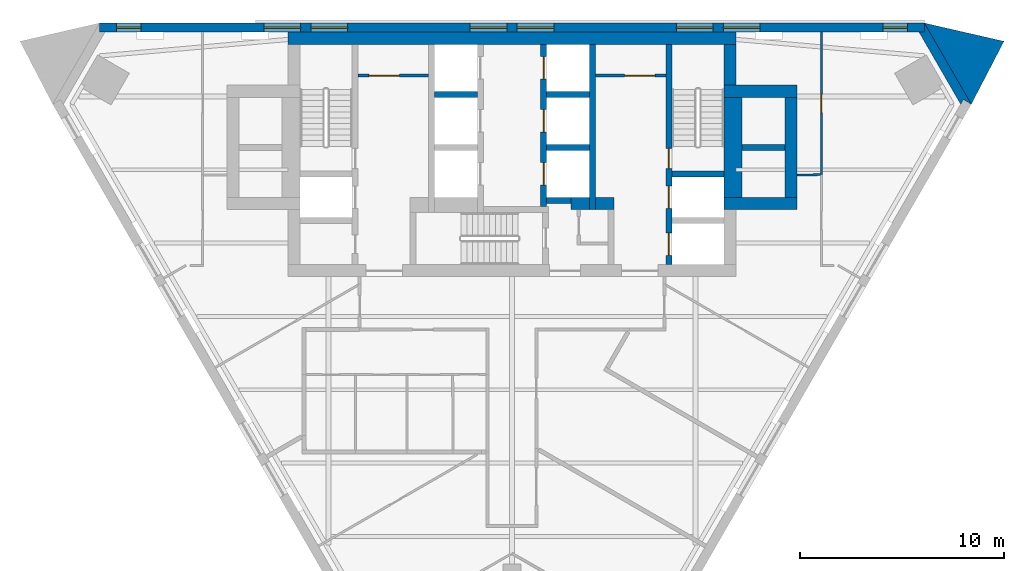
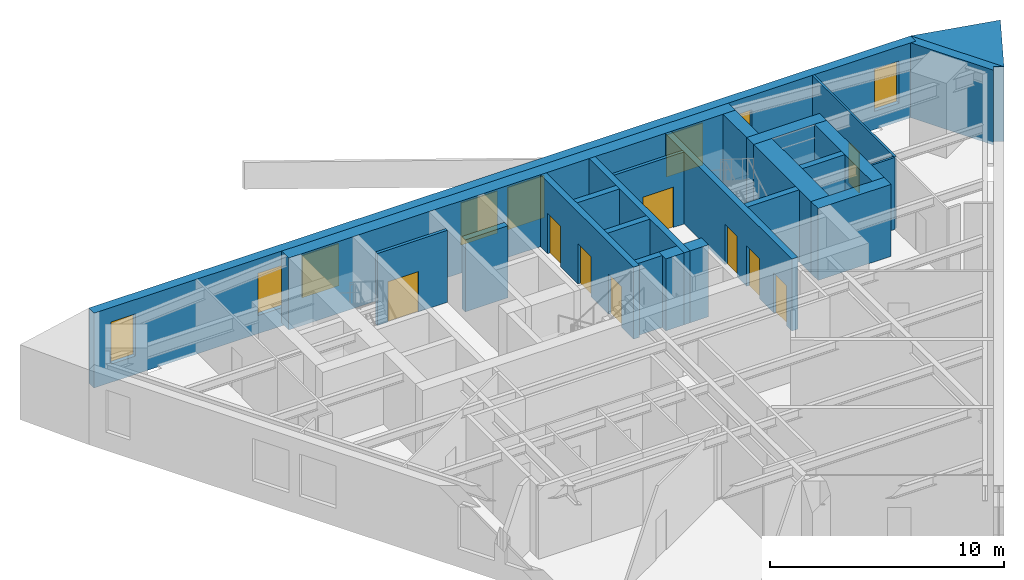
# One storey, part 5 of 7: 24 walls, 9 doors, 8 windows, 17 openings.
"""IFC4 building model written with IfcOpenShell, lengths in metres."""

import ifcopenshell
import ifcopenshell.guid

model = None  # the IFC model being written
_history = None  # IfcOwnerHistory: only IFC2X3 demands one
_inside = {}  # id of a spatial element -> (the spatial element, [elements in it])
_under = {}  # id of a project, library or spatial element -> (it, [spatial elements below it])
_declared = {}  # id of a project -> (the project, [libraries it declares])
_typed = {}  # id of a type object -> (the type object, [elements of that type])
_made_of = {}  # id of a material, layer set ... -> (it, [elements and type objects made of it])


def new_model(schema):
    """Start an empty IFC model of exactly this schema.

    Asked for "IFC4X3", IfcOpenShell would pick the latest addendum, in which some entities
    have other attributes; the version numbers below select the first issue.
    IFC2X3 requires an IfcOwnerHistory on every rooted entity: one is made here for all.
    """
    global model, _history
    if schema == "IFC4X3":
        model = ifcopenshell.file(schema_version=(4, 3, 0, 0))
    else:
        model = ifcopenshell.file(schema=schema)
    _inside.clear()
    _under.clear()
    _declared.clear()
    _typed.clear()
    _made_of.clear()
    _history = None
    if model.schema == "IFC2X3":
        org = make("IfcOrganization", Name="unknown")
        user = make(
            "IfcPersonAndOrganization",
            ThePerson=make("IfcPerson", FamilyName="unknown"),
            TheOrganization=org,
        )
        app = make(
            "IfcApplication",
            ApplicationDeveloper=org,
            Version="unknown",
            ApplicationFullName="unknown",
            ApplicationIdentifier="unknown",
        )
        _history = make(
            "IfcOwnerHistory",
            OwningUser=user,
            OwningApplication=app,
            ChangeAction="ADDED",
            CreationDate=0,
        )
    return model


def make(cls, **values):
    """One entity of the class cls with the attributes given. An attribute that is None is left unset."""
    return model.create_entity(
        cls, **{name: value for name, value in values.items() if value is not None}
    )


def rooted(cls, **values):
    """An entity with a GlobalId (a new one), such as an element, a storey or a relation."""
    return make(cls, GlobalId=ifcopenshell.guid.new(), OwnerHistory=_history, **values)


def si_unit(unit_type, name, prefix=None):
    """IfcSIUnit, for example si_unit("LENGTHUNIT", "METRE", prefix="MILLI")."""
    return make("IfcSIUnit", UnitType=unit_type, Prefix=prefix, Name=name)


def assignment(units):
    """IfcUnitAssignment: the units of a project."""
    return None if units is None else make("IfcUnitAssignment", Units=units)


def point(xyz):
    """IfcCartesianPoint."""
    return None if xyz is None else make("IfcCartesianPoint", Coordinates=xyz)


def direction(xyz):
    """IfcDirection."""
    return None if xyz is None else make("IfcDirection", DirectionRatios=xyz)


def frame(location, z_axis=None, x_axis=None):
    """IfcAxis2Placement3D, a coordinate frame: its origin and axes. An axis left out is left unset."""
    return make(
        "IfcAxis2Placement3D",
        Location=point(location),
        Axis=direction(z_axis),
        RefDirection=direction(x_axis),
    )


def frame_2d(location, x_axis=None):
    """IfcAxis2Placement2D, a coordinate frame in the plane: its origin and x axis."""
    return make(
        "IfcAxis2Placement2D", Location=point(location), RefDirection=direction(x_axis)
    )


def origin():
    """The frame at (0, 0, 0) with its axes left unset."""
    return frame((0.0, 0.0, 0.0))


def place(relative_to, where):
    """IfcLocalPlacement: puts the frame where relative to a parent placement (None: the world)."""
    return make(
        "IfcLocalPlacement", PlacementRelTo=relative_to, RelativePlacement=where
    )


def context(
    kind, dimensions, precision=None, world=None, true_north=None, identifier=None
):
    """IfcGeometricRepresentationContext, for example the 3D "Model" context."""
    return make(
        "IfcGeometricRepresentationContext",
        ContextIdentifier=identifier,
        ContextType=kind,
        CoordinateSpaceDimension=dimensions,
        Precision=precision,
        WorldCoordinateSystem=world,
        TrueNorth=true_north,
    )


def subcontext(parent, identifier, kind, view, scale=None):
    """IfcGeometricRepresentationSubContext, for example "Body" below "Model"."""
    return make(
        "IfcGeometricRepresentationSubContext",
        ContextIdentifier=identifier,
        ContextType=kind,
        ParentContext=parent,
        TargetScale=scale,
        TargetView=view,
    )


def project(units=None, contexts=None):
    """IfcProject with its units and contexts."""
    return rooted(
        "IfcProject",
        Name="project",
        RepresentationContexts=contexts,
        UnitsInContext=assignment(units),
    )


def spatial(cls, under=None, at=None, **own):
    """A site, building, storey or space (cls), placed at a placement, below another one or the project."""
    s = rooted(cls, ObjectPlacement=at, **own)
    if under is not None:
        _under.setdefault(under.id(), (under, []))[1].append(s)
    return s


def polyline(points):
    """IfcPolyline through the points."""
    return make("IfcPolyline", Points=[point(p) for p in points])


def profile(cls, at=None, kind="AREA", **sizes):
    """A parametric profile (cls). Its sizes go by their IFC names, for example OverallWidth=200.0."""
    return make(cls, ProfileType=kind, Position=at, **sizes)


def rectangle(**sizes):
    """IfcRectangleProfileDef."""
    return profile("IfcRectangleProfileDef", **sizes)


def outline(outer, holes=None, kind="AREA"):
    """IfcArbitraryClosedProfileDef: a profile drawn as a closed curve; with holes, ...WithVoids."""
    if holes is None:
        return make("IfcArbitraryClosedProfileDef", ProfileType=kind, OuterCurve=outer)
    return make(
        "IfcArbitraryProfileDefWithVoids",
        ProfileType=kind,
        OuterCurve=outer,
        InnerCurves=holes,
    )


def extrude(swept, where, along, depth):
    """IfcExtrudedAreaSolid: the profile swept, set in the frame where, extruded along a direction by depth."""
    return make(
        "IfcExtrudedAreaSolid",
        SweptArea=swept,
        Position=where,
        ExtrudedDirection=direction(along),
        Depth=depth,
    )


def shape(context_of_items, identifier, shape_type, items):
    """IfcShapeRepresentation: the items that make up one representation, for example the "Body"."""
    return make(
        "IfcShapeRepresentation",
        ContextOfItems=context_of_items,
        RepresentationIdentifier=identifier,
        RepresentationType=shape_type,
        Items=items,
    )


def material(Name=None, Category=None):
    """IfcMaterial."""
    return make("IfcMaterial", Name=Name, Category=Category)


def layer(
    of_material, thickness, ventilated=None, Name=None, Category=None, Priority=None
):
    """IfcMaterialLayer: one layer of a wall or slab, of a material (None: an air gap)."""
    return make(
        "IfcMaterialLayer",
        Material=of_material,
        LayerThickness=thickness,
        IsVentilated=ventilated,
        Name=Name,
        Category=Category,
        Priority=Priority,
    )


def layer_set(layers, Name=None):
    """IfcMaterialLayerSet."""
    return make("IfcMaterialLayerSet", MaterialLayers=layers, LayerSetName=Name)


def made_of(thing, what):
    """Note that an element or type object is made of a material, layer set ...; save() writes the relation."""
    if what is not None:
        _made_of.setdefault(what.id(), (what, []))[1].append(thing)
    return thing


def type_object(cls, material=None, **own):
    """A type object (cls), such as IfcWallType, which elements share."""
    return made_of(rooted(cls, **own), material)


def element(
    cls,
    number,
    at=None,
    inside=None,
    cuts=None,
    type_object=None,
    material=None,
    context=None,
    identifier="Body",
    shape_type=None,
    held_by="IfcProductDefinitionShape",
    body=None,
    shapes=None,
    **own,
):
    """One element of the class cls, such as IfcWall. Its Tag is "e" and its number.

    at: its placement. inside: the storey or other place that contains it. cuts: it is an
    opening in that element (IfcRelVoidsElement). A single representation is given by context,
    identifier, shape_type and body (its items); several are given by shapes. held_by: the class
    of the entity that holds the representations. save() writes the other relations.
    """
    e = rooted(cls, Tag="e%d" % number, ObjectPlacement=at, **own)
    if body is not None:
        shapes = [shape(context, identifier, shape_type, body)]
    if shapes is not None:
        e.Representation = make(held_by, Representations=shapes)
    if inside is not None:
        _inside.setdefault(inside.id(), (inside, []))[1].append(e)
    if cuts is not None:
        rooted(
            "IfcRelVoidsElement", RelatingBuildingElement=cuts, RelatedOpeningElement=e
        )
    if type_object is not None:
        _typed.setdefault(type_object.id(), (type_object, []))[1].append(e)
    return made_of(e, material)


def fill(opening, filler):
    """IfcRelFillsElement: the door or window that sits in an opening."""
    return rooted(
        "IfcRelFillsElement",
        RelatingOpeningElement=opening,
        RelatedBuildingElement=filler,
    )


def aggregate(whole, parts):
    """IfcRelAggregates: a whole, such as a stair, and the parts it consists of."""
    return rooted("IfcRelAggregates", RelatingObject=whole, RelatedObjects=parts)


def save(model, path):
    """Write the relations noted so far, then the file.

    IfcRelAggregates (storeys below a building ...), IfcRelContainedInSpatialStructure (elements
    in a storey), IfcRelDefinesByType, IfcRelAssociatesMaterial and IfcRelDeclares: one each for
    every whole, place, type object, material and project.
    """
    for whole, parts in _under.values():
        aggregate(whole, parts)
    for where, things in _inside.values():
        rooted(
            "IfcRelContainedInSpatialStructure",
            RelatedElements=things,
            RelatingStructure=where,
        )
    for kind, things in _typed.values():
        rooted("IfcRelDefinesByType", RelatedObjects=things, RelatingType=kind)
    for what, things in _made_of.values():
        rooted("IfcRelAssociatesMaterial", RelatedObjects=things, RelatingMaterial=what)
    for by, libraries in _declared.values():
        rooted("IfcRelDeclares", RelatingContext=by, RelatedDefinitions=libraries)
    model.write(path)


model = new_model("IFC4")

# Units and contexts
model_context = context("Model", 3, precision=1e-05, world=origin(), true_north=direction((0.0, 1.0)))
body_context = subcontext(model_context, "Body", "Model", "MODEL_VIEW")
ifc_project = project(units=[si_unit("LENGTHUNIT", "METRE"), si_unit("AREAUNIT", "SQUARE_METRE"), si_unit("VOLUMEUNIT", "CUBIC_METRE"), si_unit("PLANEANGLEUNIT", "RADIAN"), si_unit("MASSUNIT", "GRAM", prefix="KILO")], contexts=[model_context])

# Site, building, storey
site_placement = place(None, origin())
site = spatial("IfcSite", under=ifc_project, at=site_placement, CompositionType="ELEMENT")
building_placement = place(site_placement, origin())
building = spatial("IfcBuilding", under=site, at=building_placement, Name="Aloe Facet Convention Tower", CompositionType="ELEMENT")
storey_placement = place(building_placement, frame((0.0, 0.0, 132.5)))
storey = spatial("IfcBuildingStorey", under=building, at=storey_placement, Name="L33", CompositionType="ELEMENT", Elevation=132.5)

# Wall, opening, door
ifc_material_1 = material(Name="Concrete blockwork partition", Category="masonry")
ifc_layer_1 = layer(ifc_material_1, 0.14990234375)
ifc_layer_set_1 = layer_set([ifc_layer_1], Name="CR-W-PART150")
wall_type_1 = type_object("IfcWallType", Name="CR-W-PART150", PredefinedType="PARTITIONING", material=ifc_layer_set_1)
wall_1_placement = place(storey_placement, frame((72.449951171875, 132.425048828125, 0.0), z_axis=(0.0, 0.0, 1.0), x_axis=(1.0, 0.0, 0.0)))
wall_1 = element("IfcWall", 1, at=wall_1_placement, inside=storey, type_object=wall_type_1, Name="Core partition L33-013", PredefinedType="PARTITIONING", context=body_context, shape_type="SweptSolid", body=[
    extrude(rectangle(XDim=3.449951171875, YDim=0.14990234375, at=frame_2d((1.72509765625, 0.0))), origin(), (0.0, 0.0, 1.0), 3.75),
])
opening_1_placement = place(wall_1_placement, frame((0.52490234375, 0.0, 0.0)))
opening_1 = element("IfcOpeningElement", 2, at=opening_1_placement, cuts=wall_1, Name="Opening L33-CD14", PredefinedType="OPENING", context=body_context, shape_type="SweptSolid", body=[
    extrude(rectangle(XDim=1.5, YDim=2.10009765625, at=frame_2d((0.75, 1.050048828125))), frame((0.0, 0.0849609375, 0.0), z_axis=(0.0, -1.0, 0.0), x_axis=(1.0, 0.0, 0.0)), (0.0, 0.0, 1.0), 0.169921875),
])
ifc_material_2 = material(Name="Steel fire-resisting door set FD60", Category="steel")
door_type_1 = type_object("IfcDoorType", Name="CR-D-REFUGE-1500-FD60-DD", OperationType="DOUBLE_DOOR_DOUBLE_SWING", PredefinedType="DOOR", material=ifc_material_2)
door_1_placement = place(opening_1_placement, origin())
door_1 = element("IfcDoor", 3, at=door_1_placement, inside=storey, type_object=door_type_1, Name="Core door L33-CD14", OperationType="DOUBLE_DOOR_DOUBLE_SWING", OverallHeight=2.10009765625, OverallWidth=1.5, PredefinedType="DOOR", context=body_context, shape_type="SweptSolid", body=[
    extrude(rectangle(XDim=1.5, YDim=2.10009765625, at=frame_2d((0.75, 1.050048828125))), frame((0.0, 0.02490234375, 0.0), z_axis=(0.0, -1.0, 0.0), x_axis=(1.0, 0.0, 0.0)), (0.0, 0.0, 1.0), 0.050048828125),
])
fill(opening_1, door_1)

wall_2_placement = place(storey_placement, frame((84.10009765625, 132.425048828125, 0.0), z_axis=(0.0, 0.0, 1.0), x_axis=(1.0, 0.0, 0.0)))
wall_2 = element("IfcWall", 4, at=wall_2_placement, inside=storey, type_object=wall_type_1, Name="Core partition L33-031", PredefinedType="PARTITIONING", context=body_context, shape_type="SweptSolid", body=[
    extrude(rectangle(XDim=3.449951171875, YDim=0.14990234375, at=frame_2d((1.72509765625, 0.0))), origin(), (0.0, 0.0, 1.0), 3.75),
])
opening_2_placement = place(wall_2_placement, frame((1.425048828125, 0.0, 0.0)))
opening_2 = element("IfcOpeningElement", 5, at=opening_2_placement, cuts=wall_2, Name="Opening L33-CD13", PredefinedType="OPENING", context=body_context, shape_type="SweptSolid", body=[
    extrude(rectangle(XDim=1.5, YDim=2.10009765625, at=frame_2d((0.75, 1.050048828125))), frame((0.0, 0.0849609375, 0.0), z_axis=(0.0, -1.0, 0.0), x_axis=(1.0, 0.0, 0.0)), (0.0, 0.0, 1.0), 0.169921875),
])
door_2_placement = place(opening_2_placement, origin())
door_2 = element("IfcDoor", 6, at=door_2_placement, inside=storey, type_object=door_type_1, Name="Core door L33-CD13", OperationType="DOUBLE_DOOR_DOUBLE_SWING", OverallHeight=2.10009765625, OverallWidth=1.5, PredefinedType="DOOR", context=body_context, shape_type="SweptSolid", body=[
    extrude(rectangle(XDim=1.5, YDim=2.10009765625, at=frame_2d((0.75, 1.050048828125))), frame((0.0, 0.02490234375, 0.0), z_axis=(0.0, -1.0, 0.0), x_axis=(1.0, 0.0, 0.0)), (0.0, 0.0, 1.0), 0.050048828125),
])
fill(opening_2, door_2)

# Wall
ifc_material_3 = material(Name="Concrete C60/75", Category="concrete")
ifc_layer_2 = layer(ifc_material_3, 0.300048828125)
ifc_layer_set_2 = layer_set([ifc_layer_2], Name="CR-W-RC300-C6075")
wall_type_2 = type_object("IfcWallType", Name="CR-W-RC300-C6075", PredefinedType="SOLIDWALL", material=ifc_layer_set_2)
wall_3_placement = place(storey_placement, frame((76.199951171875, 131.5, 0.0), z_axis=(0.0, 0.0, 1.0), x_axis=(1.0, 0.0, 0.0)))
element("IfcWall", 7, at=wall_3_placement, inside=storey, type_object=wall_type_2, Name="Core wall L33-017", PredefinedType="SOLIDWALL", context=body_context, shape_type="SweptSolid", body=[
    extrude(rectangle(XDim=2.10009765625, YDim=0.300048828125, at=frame_2d((1.050048828125, 0.0))), origin(), (0.0, 0.0, 1.0), 3.75),
])

# Wall, openings, doors
wall_4_placement = place(storey_placement, frame((81.550048828125, 133.949951171875, 0.0), z_axis=(0.0, 0.0, 1.0), x_axis=(0.0, -1.0, 0.0)))
wall_4 = element("IfcWall", 8, at=wall_4_placement, inside=storey, type_object=wall_type_2, Name="Core wall L33-022", PredefinedType="SOLIDWALL", context=body_context, shape_type="SweptSolid", body=[
    extrude(rectangle(XDim=7.949951171875, YDim=0.300048828125, at=frame_2d((3.97509765625, 0.0))), origin(), (0.0, 0.0, 1.0), 3.75),
])
opening_3_placement = place(wall_4_placement, frame((0.60009765625, 0.0, 0.0)))
opening_3 = element("IfcOpeningElement", 9, at=opening_3_placement, cuts=wall_4, Name="Opening LD-B4-L33", PredefinedType="OPENING", context=body_context, shape_type="SweptSolid", body=[
    extrude(rectangle(XDim=1.10009765625, YDim=2.10009765625, at=frame_2d((0.550048828125, 1.050048828125))), frame((0.0, 0.16015625, 0.0), z_axis=(0.0, -1.0, 0.0), x_axis=(1.0, 0.0, 0.0)), (0.0, 0.0, 1.0), 0.320068359375),
])
opening_4_placement = place(wall_4_placement, frame((3.199951171875, 0.0, 0.0)))
opening_4 = element("IfcOpeningElement", 10, at=opening_4_placement, cuts=wall_4, Name="Opening LD-B5-L33", PredefinedType="OPENING", context=body_context, shape_type="SweptSolid", body=[
    extrude(rectangle(XDim=1.10009765625, YDim=2.10009765625, at=frame_2d((0.550048828125, 1.050048828125))), frame((0.0, 0.16015625, 0.0), z_axis=(0.0, -1.0, 0.0), x_axis=(1.0, 0.0, 0.0)), (0.0, 0.0, 1.0), 0.320068359375),
])
opening_5_placement = place(wall_4_placement, frame((5.800048828125, 0.0, 0.0)))
opening_5 = element("IfcOpeningElement", 11, at=opening_5_placement, cuts=wall_4, Name="Opening LD-B6-L33", PredefinedType="OPENING", context=body_context, shape_type="SweptSolid", body=[
    extrude(rectangle(XDim=1.10009765625, YDim=2.10009765625, at=frame_2d((0.550048828125, 1.050048828125))), frame((0.0, 0.16015625, 0.0), z_axis=(0.0, -1.0, 0.0), x_axis=(1.0, 0.0, 0.0)), (0.0, 0.0, 1.0), 0.320068359375),
])
ifc_material_4 = material(Name="Stainless steel sliding landing door", Category="steel")
door_type_2 = type_object("IfcDoorType", Name="CR-LD-1100-FD60-_LEFT", OperationType="SLIDING_TO_LEFT", PredefinedType="DOOR", material=ifc_material_4)
door_3_placement = place(opening_3_placement, origin())
door_3 = element("IfcDoor", 12, at=door_3_placement, inside=storey, type_object=door_type_2, Name="Landing door B4 L33", OperationType="SLIDING_TO_LEFT", OverallHeight=2.10009765625, OverallWidth=1.10009765625, PredefinedType="DOOR", context=body_context, shape_type="SweptSolid", body=[
    extrude(rectangle(XDim=1.10009765625, YDim=2.10009765625, at=frame_2d((0.550048828125, 1.050048828125))), frame((0.0, 0.02490234375, 0.0), z_axis=(0.0, -1.0, 0.0), x_axis=(1.0, 0.0, 0.0)), (0.0, 0.0, 1.0), 0.050048828125),
])
fill(opening_3, door_3)
door_4_placement = place(opening_4_placement, origin())
door_4 = element("IfcDoor", 13, at=door_4_placement, inside=storey, type_object=door_type_2, Name="Landing door B5 L33", OperationType="SLIDING_TO_LEFT", OverallHeight=2.10009765625, OverallWidth=1.10009765625, PredefinedType="DOOR", context=body_context, shape_type="SweptSolid", body=[
    extrude(rectangle(XDim=1.10009765625, YDim=2.10009765625, at=frame_2d((0.550048828125, 1.050048828125))), frame((0.0, 0.02490234375, 0.0), z_axis=(0.0, -1.0, 0.0), x_axis=(1.0, 0.0, 0.0)), (0.0, 0.0, 1.0), 0.050048828125),
])
fill(opening_4, door_4)
door_5_placement = place(opening_5_placement, origin())
door_5 = element("IfcDoor", 14, at=door_5_placement, inside=storey, type_object=door_type_2, Name="Landing door B6 L33", OperationType="SLIDING_TO_LEFT", OverallHeight=2.10009765625, OverallWidth=1.10009765625, PredefinedType="DOOR", context=body_context, shape_type="SweptSolid", body=[
    extrude(rectangle(XDim=1.10009765625, YDim=2.10009765625, at=frame_2d((0.550048828125, 1.050048828125))), frame((0.0, 0.02490234375, 0.0), z_axis=(0.0, -1.0, 0.0), x_axis=(1.0, 0.0, 0.0)), (0.0, 0.0, 1.0), 0.050048828125),
])
fill(opening_5, door_5)

# Walls
for number, where, z_axis, x_axis, name in (
    (15, (81.699951171875, 131.5, 0.0), (0.0, 0.0, 1.0), (1.0, 0.0, 0.0), "Core wall L33-024"),
    (16, (81.699951171875, 128.89990234375, 0.0), (0.0, 0.0, 1.0), (1.0, 0.0, 0.0), "Core wall L33-025"),
):
    element("IfcWall", number, at=place(storey_placement, frame(where, z_axis=z_axis, x_axis=x_axis)), inside=storey, type_object=wall_type_2, Name=name, PredefinedType="SOLIDWALL", context=body_context, shape_type="SweptSolid", body=[
        extrude(rectangle(XDim=2.10009765625, YDim=0.300048828125, at=frame_2d((1.050048828125, 0.0))), origin(), (0.0, 0.0, 1.0), 3.75),
    ])
wall_5_placement = place(storey_placement, frame((81.699951171875, 126.300048828125, 0.0), z_axis=(0.0, 0.0, 1.0), x_axis=(1.0, 0.0, 0.0)))
element("IfcWall", 17, at=wall_5_placement, inside=storey, type_object=wall_type_2, Name="Core wall L33-026", PredefinedType="SOLIDWALL", context=body_context, shape_type="SweptSolid", body=[
    extrude(rectangle(XDim=1.199951171875, YDim=0.300048828125, at=frame_2d((0.60009765625, 0.0))), origin(), (0.0, 0.0, 1.0), 3.75),
])
wall_6_placement = place(storey_placement, frame((83.949951171875, 133.949951171875, 0.0), z_axis=(0.0, 0.0, 1.0), x_axis=(0.0, -1.0, 0.0)))
element("IfcWall", 18, at=wall_6_placement, inside=storey, type_object=wall_type_2, Name="Core wall L33-030", PredefinedType="SOLIDWALL", context=body_context, shape_type="SweptSolid", body=[
    extrude(rectangle(XDim=8.099853515625, YDim=0.300048828125, at=frame_2d((4.0498046875, 0.0))), origin(), (0.0, 0.0, 1.0), 3.75),
])

# Wall, openings, doors
wall_7_placement = place(storey_placement, frame((87.699951171875, 133.949951171875, 0.0), z_axis=(0.0, 0.0, 1.0), x_axis=(0.0, -1.0, 0.0)))
wall_7 = element("IfcWall", 19, at=wall_7_placement, inside=storey, type_object=wall_type_2, Name="Core wall L33-034", PredefinedType="SOLIDWALL", context=body_context, shape_type="SweptSolid", body=[
    extrude(rectangle(XDim=10.800048828125, YDim=0.300048828125, at=frame_2d((5.39990234375, 0.0))), origin(), (0.0, 0.0, 1.0), 3.75),
])
opening_6_placement = place(wall_7_placement, frame((6.949951171875, 0.0, 0.0)))
opening_6 = element("IfcOpeningElement", 20, at=opening_6_placement, cuts=wall_7, Name="Opening LD-FF2-L33", PredefinedType="OPENING", context=body_context, shape_type="SweptSolid", body=[
    extrude(rectangle(XDim=1.10009765625, YDim=2.10009765625, at=frame_2d((0.550048828125, 1.050048828125))), frame((0.0, 0.16015625, 0.0), z_axis=(0.0, -1.0, 0.0), x_axis=(1.0, 0.0, 0.0)), (0.0, 0.0, 1.0), 0.320068359375),
])
opening_7_placement = place(wall_7_placement, frame((5.10009765625, 0.0, 0.0)))
opening_7 = element("IfcOpeningElement", 21, at=opening_7_placement, cuts=wall_7, Name="Opening L33-CD17", PredefinedType="OPENING", context=body_context, shape_type="SweptSolid", body=[
    extrude(rectangle(XDim=1.0, YDim=2.10009765625, at=frame_2d((0.5, 1.050048828125))), frame((0.0, 0.16015625, 0.0), z_axis=(0.0, -1.0, 0.0), x_axis=(1.0, 0.0, 0.0)), (0.0, 0.0, 1.0), 0.320068359375),
])
opening_8_placement = place(wall_7_placement, frame((9.25, 0.0, 0.0)))
opening_8 = element("IfcOpeningElement", 22, at=opening_8_placement, cuts=wall_7, Name="Opening LD-SV1-L33", PredefinedType="OPENING", context=body_context, shape_type="SweptSolid", body=[
    extrude(rectangle(XDim=1.10009765625, YDim=2.10009765625, at=frame_2d((0.550048828125, 1.050048828125))), frame((0.0, 0.16015625, 0.0), z_axis=(0.0, -1.0, 0.0), x_axis=(1.0, 0.0, 0.0)), (0.0, 0.0, 1.0), 0.320068359375),
])
ifc_material_5 = material(Name="Steel fire-resisting door set FD120", Category="steel")
door_type_3 = type_object("IfcDoorType", Name="CR-D-STAIR-1000-FD120-SLEFT", OperationType="SINGLE_SWING_LEFT", PredefinedType="DOOR", material=ifc_material_5)
door_6_placement = place(opening_7_placement, origin())
door_6 = element("IfcDoor", 23, at=door_6_placement, inside=storey, type_object=door_type_3, Name="Core door L33-CD17", OperationType="SINGLE_SWING_LEFT", OverallHeight=2.10009765625, OverallWidth=1.0, PredefinedType="DOOR", context=body_context, shape_type="SweptSolid", body=[
    extrude(rectangle(XDim=1.0, YDim=2.10009765625, at=frame_2d((0.5, 1.050048828125))), frame((0.0, 0.02490234375, 0.0), z_axis=(0.0, -1.0, 0.0), x_axis=(1.0, 0.0, 0.0)), (0.0, 0.0, 1.0), 0.050048828125),
])
fill(opening_7, door_6)
ifc_material_6 = material(Name="Stainless steel sliding landing door", Category="steel")
door_type_4 = type_object("IfcDoorType", Name="CR-LD-1100-FD120-_LEFT", OperationType="SLIDING_TO_LEFT", PredefinedType="DOOR", material=ifc_material_6)
door_7_placement = place(opening_6_placement, origin())
door_7 = element("IfcDoor", 24, at=door_7_placement, inside=storey, type_object=door_type_4, Name="Landing door FF2 L33", OperationType="SLIDING_TO_LEFT", OverallHeight=2.10009765625, OverallWidth=1.10009765625, PredefinedType="DOOR", context=body_context, shape_type="SweptSolid", body=[
    extrude(rectangle(XDim=1.10009765625, YDim=2.10009765625, at=frame_2d((0.550048828125, 1.050048828125))), frame((0.0, 0.02490234375, 0.0), z_axis=(0.0, -1.0, 0.0), x_axis=(1.0, 0.0, 0.0)), (0.0, 0.0, 1.0), 0.050048828125),
])
fill(opening_6, door_7)
door_8_placement = place(opening_8_placement, origin())
door_8 = element("IfcDoor", 25, at=door_8_placement, inside=storey, type_object=door_type_4, Name="Landing door SV1 L33", OperationType="SLIDING_TO_LEFT", OverallHeight=2.10009765625, OverallWidth=1.10009765625, PredefinedType="DOOR", context=body_context, shape_type="SweptSolid", body=[
    extrude(rectangle(XDim=1.10009765625, YDim=2.10009765625, at=frame_2d((0.550048828125, 1.050048828125))), frame((0.0, 0.02490234375, 0.0), z_axis=(0.0, -1.0, 0.0), x_axis=(1.0, 0.0, 0.0)), (0.0, 0.0, 1.0), 0.050048828125),
])
fill(opening_8, door_8)

# Walls
wall_8_placement = place(storey_placement, frame((87.85009765625, 127.60009765625, 0.0), z_axis=(0.0, 0.0, 1.0), x_axis=(1.0, 0.0, 0.0)))
element("IfcWall", 26, at=wall_8_placement, inside=storey, type_object=wall_type_2, Name="Core wall L33-035", PredefinedType="SOLIDWALL", context=body_context, shape_type="SweptSolid", body=[
    extrude(rectangle(XDim=2.5498046875, YDim=0.300048828125, at=frame_2d((1.27490234375, 0.0))), origin(), (0.0, 0.0, 1.0), 3.75),
])
wall_9_placement = place(storey_placement, frame((91.300048828125, 128.89990234375, 0.0), z_axis=(0.0, 0.0, 1.0), x_axis=(1.0, 0.0, 0.0)))
element("IfcWall", 27, at=wall_9_placement, inside=storey, type_object=wall_type_2, Name="Core wall L33-042", PredefinedType="SOLIDWALL", context=body_context, shape_type="SweptSolid", body=[
    extrude(rectangle(XDim=2.099853515625, YDim=0.300048828125, at=frame_2d((1.0498046875, 0.0))), origin(), (0.0, 0.0, 1.0), 3.75),
])
ifc_material_7 = material(Name="Concrete C60/75", Category="concrete")
ifc_layer_3 = layer(ifc_material_7, 0.60009765625)
ifc_layer_set_3 = layer_set([ifc_layer_3], Name="CR-W-RC600-C6075")
wall_type_3 = type_object("IfcWallType", Name="CR-W-RC600-C6075", PredefinedType="SOLIDWALL", material=ifc_layer_set_3)
wall_10_placement = place(storey_placement, frame((69.0, 134.25, 0.0), z_axis=(0.0, 0.0, 1.0), x_axis=(1.0, 0.0, 0.0)))
element("IfcWall", 28, at=wall_10_placement, inside=storey, type_object=wall_type_3, Name="Core wall L33-006", PredefinedType="SOLIDWALL", context=body_context, shape_type="SweptSolid", body=[
    extrude(rectangle(XDim=22.0, YDim=0.60009765625, at=frame_2d((11.0, 0.0))), origin(), (0.0, 0.0, 1.0), 3.75),
])
wall_11_placement = place(storey_placement, frame((82.89990234375, 126.14990234375, 0.0), z_axis=(0.0, 0.0, 1.0), x_axis=(1.0, 0.0, 0.0)))
element("IfcWall", 29, at=wall_11_placement, inside=storey, type_object=wall_type_3, Name="Core wall L33-027", PredefinedType="SOLIDWALL", context=body_context, shape_type="SweptSolid", body=[
    extrude(rectangle(XDim=0.900146484375, YDim=0.60009765625, at=frame_2d((0.4501953125, 0.0))), origin(), (0.0, 0.0, 1.0), 3.75),
])
wall_12_placement = place(storey_placement, frame((84.10009765625, 126.14990234375, 0.0), z_axis=(0.0, 0.0, 1.0), x_axis=(1.0, 0.0, 0.0)))
element("IfcWall", 30, at=wall_12_placement, inside=storey, type_object=wall_type_3, Name="Core wall L33-032", PredefinedType="SOLIDWALL", context=body_context, shape_type="SweptSolid", body=[
    extrude(rectangle(XDim=0.89990234375, YDim=0.60009765625, at=frame_2d((0.449951171875, 0.0))), origin(), (0.0, 0.0, 1.0), 3.75),
])
wall_13_placement = place(storey_placement, frame((90.699951171875, 133.949951171875, 0.0), z_axis=(0.0, 0.0, 1.0), x_axis=(0.0, -1.0, 0.0)))
element("IfcWall", 31, at=wall_13_placement, inside=storey, type_object=wall_type_3, Name="Core wall L33-037", PredefinedType="SOLIDWALL", context=body_context, shape_type="SweptSolid", body=[
    extrude(rectangle(XDim=2.0, YDim=0.60009765625, at=frame_2d((1.0, 0.0))), origin(), (0.0, 0.0, 1.0), 3.75),
])
for number, where, z_axis, x_axis, name in (
    (32, (90.39990234375, 131.64990234375, 0.0), (0.0, 0.0, 1.0), (1.0, 0.0, 0.0), "Core wall L33-038"),
    (33, (90.39990234375, 126.14990234375, 0.0), (0.0, 0.0, 1.0), (1.0, 0.0, 0.0), "Core wall L33-040"),
):
    element("IfcWall", number, at=place(storey_placement, frame(where, z_axis=z_axis, x_axis=x_axis)), inside=storey, type_object=wall_type_3, Name=name, PredefinedType="SOLIDWALL", context=body_context, shape_type="SweptSolid", body=[
        extrude(rectangle(XDim=3.60009765625, YDim=0.60009765625, at=frame_2d((1.800048828125, 0.0))), origin(), (0.0, 0.0, 1.0), 3.75),
    ])
wall_14_placement = place(storey_placement, frame((93.699951171875, 131.35009765625, 0.0), z_axis=(0.0, 0.0, 1.0), x_axis=(0.0, -1.0, 0.0)))
element("IfcWall", 34, at=wall_14_placement, inside=storey, type_object=wall_type_3, Name="Core wall L33-043", PredefinedType="SOLIDWALL", context=body_context, shape_type="SweptSolid", body=[
    extrude(rectangle(XDim=4.900146484375, YDim=0.60009765625, at=frame_2d((2.4501953125, 0.0))), origin(), (0.0, 0.0, 1.0), 3.75),
])
ifc_material_8 = material(Name="Concrete C60/75", Category="concrete")
ifc_layer_4 = layer(ifc_material_8, 0.89990234375)
ifc_layer_set_4 = layer_set([ifc_layer_4], Name="CR-W-RC900-C6075")
wall_type_4 = type_object("IfcWallType", Name="CR-W-RC900-C6075", PredefinedType="SOLIDWALL", material=ifc_layer_set_4)
wall_15_placement = place(storey_placement, frame((90.85009765625, 131.35009765625, 0.0), z_axis=(0.0, 0.0, 1.0), x_axis=(0.0, -1.0, 0.0)))
element("IfcWall", 35, at=wall_15_placement, inside=storey, type_object=wall_type_4, Name="Core wall L33-039", PredefinedType="SOLIDWALL", context=body_context, shape_type="SweptSolid", body=[
    extrude(rectangle(XDim=4.900146484375, YDim=0.89990234375, at=frame_2d((2.4501953125, 0.0))), origin(), (0.0, 0.0, 1.0), 3.75),
])
ifc_material_9 = material(Name="Precast concrete C40/50", Category="concrete")
ifc_layer_5 = layer(ifc_material_9, 0.449951171875)
ifc_layer_set_5 = layer_set([ifc_layer_5], Name="EV-WALL-PIER")
wall_type_5 = type_object("IfcWallType", Name="EV-WALL-PIER", PredefinedType="SOLIDWALL", material=ifc_layer_set_5)
wall_16_placement = place(storey_placement, frame((0.0, 0.0, -0.14990234375)))
element("IfcWall", 36, at=wall_16_placement, inside=storey, type_object=wall_type_5, Name="EP-L33-C", PredefinedType="SOLIDWALL", context=body_context, shape_type="SweptSolid", body=[
    extrude(outline(polyline([(102.54296875, 131.016357421875), (102.1533203125, 131.2412109375), (102.0234375, 131.016357421875), (99.983154296875, 134.550048828125), (100.2431640625, 134.550048828125), (100.2431640625, 135.0), (102.54296875, 131.016357421875)])), origin(), (0.0, 0.0, 1.0), 3.89990234375),
])
ifc_material_10 = material(Name="Precast concrete C40/50", Category="concrete")
ifc_layer_6 = layer(ifc_material_10, 3.947998046875)
ifc_layer_set_6 = layer_set([ifc_layer_6], Name="EV-WALL-SPINE")
wall_type_6 = type_object("IfcWallType", Name="EV-WALL-SPINE", PredefinedType="SOLIDWALL", material=ifc_layer_set_6)
wall_17_placement = place(storey_placement, frame((0.0, 0.0, -0.14990234375)))
element("IfcWall", 37, at=wall_17_placement, inside=storey, type_object=wall_type_6, Name="SP-NE-L33", PredefinedType="SOLIDWALL", context=body_context, shape_type="SweptSolid", body=[
    extrude(outline(polyline([(102.54296875, 131.016357421875), (104.148193359375, 134.1044921875), (100.2431640625, 135.0), (102.54296875, 131.016357421875)])), origin(), (0.0, 0.0, 1.0), 3.89990234375),
])

# Wall, openings, windows
ifc_material_11 = material(Name="Precast concrete C40/50", Category="concrete")
ifc_layer_7 = layer(ifc_material_11, 0.449951171875)
ifc_layer_set_7 = layer_set([ifc_layer_7], Name="EV-WALL-STONE")
wall_type_7 = type_object("IfcWallType", Name="EV-WALL-STONE", PredefinedType="SOLIDWALL", material=ifc_layer_set_7)
wall_18_placement = place(storey_placement, frame((100.2431640625, 134.77490234375, -0.14990234375), z_axis=(0.0, 0.0, 1.0), x_axis=(-1.0, 0.0, 0.0)))
wall_18 = element("IfcWall", 38, at=wall_18_placement, inside=storey, type_object=wall_type_7, Name="EW-L33-N01", PredefinedType="SOLIDWALL", context=body_context, shape_type="SweptSolid", body=[
    extrude(outline(polyline([(40.486083984375, 0.0), (40.486083984375, 3.89990234375), (0.0, 3.89990234375), (0.0, 0.0), (40.486083984375, 0.0)])), frame((0.0, 0.22509765625, 0.0), z_axis=(0.0, -1.0, 0.0), x_axis=(1.0, 0.0, 0.0)), (0.0, 0.0, 1.0), 0.449951171875),
])
opening_9_placement = place(wall_18_placement, frame((0.83740234375, 0.0, 0.949951171875)))
opening_9 = element("IfcOpeningElement", 39, at=opening_9_placement, cuts=wall_18, Name="Opening W-L33-N01", PredefinedType="OPENING", context=body_context, shape_type="SweptSolid", body=[
    extrude(rectangle(XDim=1.199951171875, YDim=2.199951171875, at=frame_2d((0.60009765625, 1.10009765625))), frame((0.0, 0.23486328125, 0.0), z_axis=(0.0, -1.0, 0.0), x_axis=(1.0, 0.0, 0.0)), (0.0, 0.0, 1.0), 0.469970703125),
])
opening_10_placement = place(wall_18_placement, frame((8.071533203125, 0.0, 0.949951171875)))
opening_10 = element("IfcOpeningElement", 40, at=opening_10_placement, cuts=wall_18, Name="Opening W-L33-N02", PredefinedType="OPENING", context=body_context, shape_type="SweptSolid", body=[
    extrude(rectangle(XDim=1.800048828125, YDim=2.199951171875, at=frame_2d((0.89990234375, 1.10009765625))), frame((0.0, 0.23486328125, 0.0), z_axis=(0.0, -1.0, 0.0), x_axis=(1.0, 0.0, 0.0)), (0.0, 0.0, 1.0), 0.469970703125),
])
opening_11_placement = place(wall_18_placement, frame((10.37158203125, 0.0, 0.949951171875)))
opening_11 = element("IfcOpeningElement", 41, at=opening_11_placement, cuts=wall_18, Name="Opening W-L33-N03", PredefinedType="OPENING", context=body_context, shape_type="SweptSolid", body=[
    extrude(rectangle(XDim=1.800048828125, YDim=2.199951171875, at=frame_2d((0.89990234375, 1.10009765625))), frame((0.0, 0.23486328125, 0.0), z_axis=(0.0, -1.0, 0.0), x_axis=(1.0, 0.0, 0.0)), (0.0, 0.0, 1.0), 0.469970703125),
])
opening_12_placement = place(wall_18_placement, frame((18.193115234375, 0.0, 0.949951171875)))
opening_12 = element("IfcOpeningElement", 42, at=opening_12_placement, cuts=wall_18, Name="Opening W-L33-N04", PredefinedType="OPENING", context=body_context, shape_type="SweptSolid", body=[
    extrude(rectangle(XDim=1.800048828125, YDim=2.199951171875, at=frame_2d((0.89990234375, 1.10009765625))), frame((0.0, 0.23486328125, 0.0), z_axis=(0.0, -1.0, 0.0), x_axis=(1.0, 0.0, 0.0)), (0.0, 0.0, 1.0), 0.469970703125),
])
opening_13_placement = place(wall_18_placement, frame((20.4931640625, 0.0, 0.949951171875)))
opening_13 = element("IfcOpeningElement", 43, at=opening_13_placement, cuts=wall_18, Name="Opening W-L33-N05", PredefinedType="OPENING", context=body_context, shape_type="SweptSolid", body=[
    extrude(rectangle(XDim=1.800048828125, YDim=2.199951171875, at=frame_2d((0.89990234375, 1.10009765625))), frame((0.0, 0.23486328125, 0.0), z_axis=(0.0, -1.0, 0.0), x_axis=(1.0, 0.0, 0.0)), (0.0, 0.0, 1.0), 0.469970703125),
])
opening_14_placement = place(wall_18_placement, frame((28.314697265625, 0.0, 0.949951171875)))
opening_14 = element("IfcOpeningElement", 44, at=opening_14_placement, cuts=wall_18, Name="Opening W-L33-N06", PredefinedType="OPENING", context=body_context, shape_type="SweptSolid", body=[
    extrude(rectangle(XDim=1.800048828125, YDim=2.199951171875, at=frame_2d((0.89990234375, 1.10009765625))), frame((0.0, 0.23486328125, 0.0), z_axis=(0.0, -1.0, 0.0), x_axis=(1.0, 0.0, 0.0)), (0.0, 0.0, 1.0), 0.469970703125),
])
opening_15_placement = place(wall_18_placement, frame((30.614501953125, 0.0, 0.949951171875)))
opening_15 = element("IfcOpeningElement", 45, at=opening_15_placement, cuts=wall_18, Name="Opening W-L33-N07", PredefinedType="OPENING", context=body_context, shape_type="SweptSolid", body=[
    extrude(rectangle(XDim=1.800048828125, YDim=2.199951171875, at=frame_2d((0.89990234375, 1.10009765625))), frame((0.0, 0.23486328125, 0.0), z_axis=(0.0, -1.0, 0.0), x_axis=(1.0, 0.0, 0.0)), (0.0, 0.0, 1.0), 0.469970703125),
])
opening_16_placement = place(wall_18_placement, frame((38.44873046875, 0.0, 0.949951171875)))
opening_16 = element("IfcOpeningElement", 46, at=opening_16_placement, cuts=wall_18, Name="Opening W-L33-N08", PredefinedType="OPENING", context=body_context, shape_type="SweptSolid", body=[
    extrude(rectangle(XDim=1.199951171875, YDim=2.199951171875, at=frame_2d((0.60009765625, 1.10009765625))), frame((0.0, 0.23486328125, 0.0), z_axis=(0.0, -1.0, 0.0), x_axis=(1.0, 0.0, 0.0)), (0.0, 0.0, 1.0), 0.469970703125),
])
ifc_material_12 = material(Name="Aluminium frame, clear double glazing", Category="aluminium")
window_type_1 = type_object("IfcWindowType", Name="EV-WIN-O12", PartitioningType="SINGLE_PANEL", PredefinedType="WINDOW", material=ifc_material_12)
window_1_placement = place(opening_9_placement, origin())
window_1 = element("IfcWindow", 47, at=window_1_placement, inside=storey, type_object=window_type_1, Name="W-L33-N01", OverallHeight=2.199951171875, OverallWidth=1.199951171875, PartitioningType="SINGLE_PANEL", PredefinedType="WINDOW", context=body_context, shape_type="SweptSolid", body=[
    extrude(rectangle(XDim=1.199951171875, YDim=2.199951171875, at=frame_2d((0.60009765625, 1.10009765625))), frame((0.0, 0.030029296875, 0.0), z_axis=(0.0, -1.0, 0.0), x_axis=(1.0, 0.0, 0.0)), (0.0, 0.0, 1.0), 0.06005859375),
])
fill(opening_9, window_1)
window_2_placement = place(opening_16_placement, origin())
window_2 = element("IfcWindow", 48, at=window_2_placement, inside=storey, type_object=window_type_1, Name="W-L33-N08", OverallHeight=2.199951171875, OverallWidth=1.199951171875, PartitioningType="SINGLE_PANEL", PredefinedType="WINDOW", context=body_context, shape_type="SweptSolid", body=[
    extrude(rectangle(XDim=1.199951171875, YDim=2.199951171875, at=frame_2d((0.60009765625, 1.10009765625))), frame((0.0, 0.030029296875, 0.0), z_axis=(0.0, -1.0, 0.0), x_axis=(1.0, 0.0, 0.0)), (0.0, 0.0, 1.0), 0.06005859375),
])
fill(opening_16, window_2)
ifc_material_13 = material(Name="Aluminium frame, clear double glazing", Category="aluminium")
window_type_2 = type_object("IfcWindowType", Name="EV-WIN-O18", PartitioningType="SINGLE_PANEL", PredefinedType="WINDOW", material=ifc_material_13)
window_3_placement = place(opening_10_placement, origin())
window_3 = element("IfcWindow", 49, at=window_3_placement, inside=storey, type_object=window_type_2, Name="W-L33-N02", OverallHeight=2.199951171875, OverallWidth=1.800048828125, PartitioningType="SINGLE_PANEL", PredefinedType="WINDOW", context=body_context, shape_type="SweptSolid", body=[
    extrude(rectangle(XDim=1.800048828125, YDim=2.199951171875, at=frame_2d((0.89990234375, 1.10009765625))), frame((0.0, 0.030029296875, 0.0), z_axis=(0.0, -1.0, 0.0), x_axis=(1.0, 0.0, 0.0)), (0.0, 0.0, 1.0), 0.06005859375),
])
fill(opening_10, window_3)
window_4_placement = place(opening_11_placement, origin())
window_4 = element("IfcWindow", 50, at=window_4_placement, inside=storey, type_object=window_type_2, Name="W-L33-N03", OverallHeight=2.199951171875, OverallWidth=1.800048828125, PartitioningType="SINGLE_PANEL", PredefinedType="WINDOW", context=body_context, shape_type="SweptSolid", body=[
    extrude(rectangle(XDim=1.800048828125, YDim=2.199951171875, at=frame_2d((0.89990234375, 1.10009765625))), frame((0.0, 0.030029296875, 0.0), z_axis=(0.0, -1.0, 0.0), x_axis=(1.0, 0.0, 0.0)), (0.0, 0.0, 1.0), 0.06005859375),
])
fill(opening_11, window_4)
window_5_placement = place(opening_12_placement, origin())
window_5 = element("IfcWindow", 51, at=window_5_placement, inside=storey, type_object=window_type_2, Name="W-L33-N04", OverallHeight=2.199951171875, OverallWidth=1.800048828125, PartitioningType="SINGLE_PANEL", PredefinedType="WINDOW", context=body_context, shape_type="SweptSolid", body=[
    extrude(rectangle(XDim=1.800048828125, YDim=2.199951171875, at=frame_2d((0.89990234375, 1.10009765625))), frame((0.0, 0.030029296875, 0.0), z_axis=(0.0, -1.0, 0.0), x_axis=(1.0, 0.0, 0.0)), (0.0, 0.0, 1.0), 0.06005859375),
])
fill(opening_12, window_5)
window_6_placement = place(opening_13_placement, origin())
window_6 = element("IfcWindow", 52, at=window_6_placement, inside=storey, type_object=window_type_2, Name="W-L33-N05", OverallHeight=2.199951171875, OverallWidth=1.800048828125, PartitioningType="SINGLE_PANEL", PredefinedType="WINDOW", context=body_context, shape_type="SweptSolid", body=[
    extrude(rectangle(XDim=1.800048828125, YDim=2.199951171875, at=frame_2d((0.89990234375, 1.10009765625))), frame((0.0, 0.030029296875, 0.0), z_axis=(0.0, -1.0, 0.0), x_axis=(1.0, 0.0, 0.0)), (0.0, 0.0, 1.0), 0.06005859375),
])
fill(opening_13, window_6)
window_7_placement = place(opening_14_placement, origin())
window_7 = element("IfcWindow", 53, at=window_7_placement, inside=storey, type_object=window_type_2, Name="W-L33-N06", OverallHeight=2.199951171875, OverallWidth=1.800048828125, PartitioningType="SINGLE_PANEL", PredefinedType="WINDOW", context=body_context, shape_type="SweptSolid", body=[
    extrude(rectangle(XDim=1.800048828125, YDim=2.199951171875, at=frame_2d((0.89990234375, 1.10009765625))), frame((0.0, 0.030029296875, 0.0), z_axis=(0.0, -1.0, 0.0), x_axis=(1.0, 0.0, 0.0)), (0.0, 0.0, 1.0), 0.06005859375),
])
fill(opening_14, window_7)
window_8_placement = place(opening_15_placement, origin())
window_8 = element("IfcWindow", 54, at=window_8_placement, inside=storey, type_object=window_type_2, Name="W-L33-N07", OverallHeight=2.199951171875, OverallWidth=1.800048828125, PartitioningType="SINGLE_PANEL", PredefinedType="WINDOW", context=body_context, shape_type="SweptSolid", body=[
    extrude(rectangle(XDim=1.800048828125, YDim=2.199951171875, at=frame_2d((0.89990234375, 1.10009765625))), frame((0.0, 0.030029296875, 0.0), z_axis=(0.0, -1.0, 0.0), x_axis=(1.0, 0.0, 0.0)), (0.0, 0.0, 1.0), 0.06005859375),
])
fill(opening_15, window_8)

# Wall, opening, door
ifc_material_14 = material(Name="Gypsum board partition on steel studs", Category="steel")
ifc_layer_8 = layer(ifc_material_14, 0.10009765625)
ifc_layer_set_8 = layer_set([ifc_layer_8], Name="IN-W-PART")
wall_type_8 = type_object("IfcWallType", Name="IN-W-PART", PredefinedType="PARTITIONING", material=ifc_layer_set_8)
wall_19_placement = place(storey_placement, frame((95.188720703125, 127.556884765625, 0.0), z_axis=(0.0, 0.0, 1.0), x_axis=(0.0, 1.0, 0.0)))
wall_19 = element("IfcWall", 55, at=wall_19_placement, inside=storey, type_object=wall_type_8, Name="Partition L33-W044", PredefinedType="PARTITIONING", context=body_context, shape_type="SweptSolid", body=[
    extrude(rectangle(XDim=6.9931640625, YDim=0.10009765625, at=frame_2d((3.49658203125, 0.0))), origin(), (0.0, 0.0, 1.0), 3.75),
])
opening_17_placement = place(wall_19_placement, frame((3.04638671875, 0.0, 0.0)))
opening_17 = element("IfcOpeningElement", 56, at=opening_17_placement, cuts=wall_19, Name="Opening L33-006", PredefinedType="OPENING", context=body_context, shape_type="SweptSolid", body=[
    extrude(rectangle(XDim=0.89990234375, YDim=2.10009765625, at=frame_2d((0.449951171875, 1.050048828125))), frame((0.0, 0.06005859375, 0.0), z_axis=(0.0, -1.0, 0.0), x_axis=(1.0, 0.0, 0.0)), (0.0, 0.0, 1.0), 0.1201171875),
])
ifc_material_15 = material(Name="Timber door", Category="wood")
door_type_5 = type_object("IfcDoorType", Name="IN-OFF-D-ROOM", OperationType="SINGLE_SWING_LEFT", PredefinedType="DOOR", material=ifc_material_15)
door_9_placement = place(opening_17_placement, origin())
door_9 = element("IfcDoor", 57, at=door_9_placement, inside=storey, type_object=door_type_5, Name="Door L33-006", OperationType="SINGLE_SWING_LEFT", OverallHeight=2.10009765625, OverallWidth=0.89990234375, PredefinedType="DOOR", context=body_context, shape_type="SweptSolid", body=[
    extrude(rectangle(XDim=0.89990234375, YDim=2.10009765625, at=frame_2d((0.449951171875, 1.050048828125))), frame((0.0, 0.02490234375, 0.0), z_axis=(0.0, -1.0, 0.0), x_axis=(1.0, 0.0, 0.0)), (0.0, 0.0, 1.0), 0.050048828125),
])
fill(opening_17, door_9)

# Wall
wall_20_placement = place(storey_placement, frame((94.0, 127.547119140625, 0.0), z_axis=(0.0, 0.0, 1.0), x_axis=(0.999965040971, 0.008361628773, 0.0)))
element("IfcWall", 58, at=wall_20_placement, inside=storey, type_object=wall_type_8, Name="Partition L33-W046", PredefinedType="PARTITIONING", context=body_context, shape_type="SweptSolid", body=[
    extrude(rectangle(XDim=1.138671875, YDim=0.10009765625, at=frame_2d((0.5693359375, 0.0))), origin(), (0.0, 0.0, 1.0), 3.75),
])

save(model, "model.ifc")
